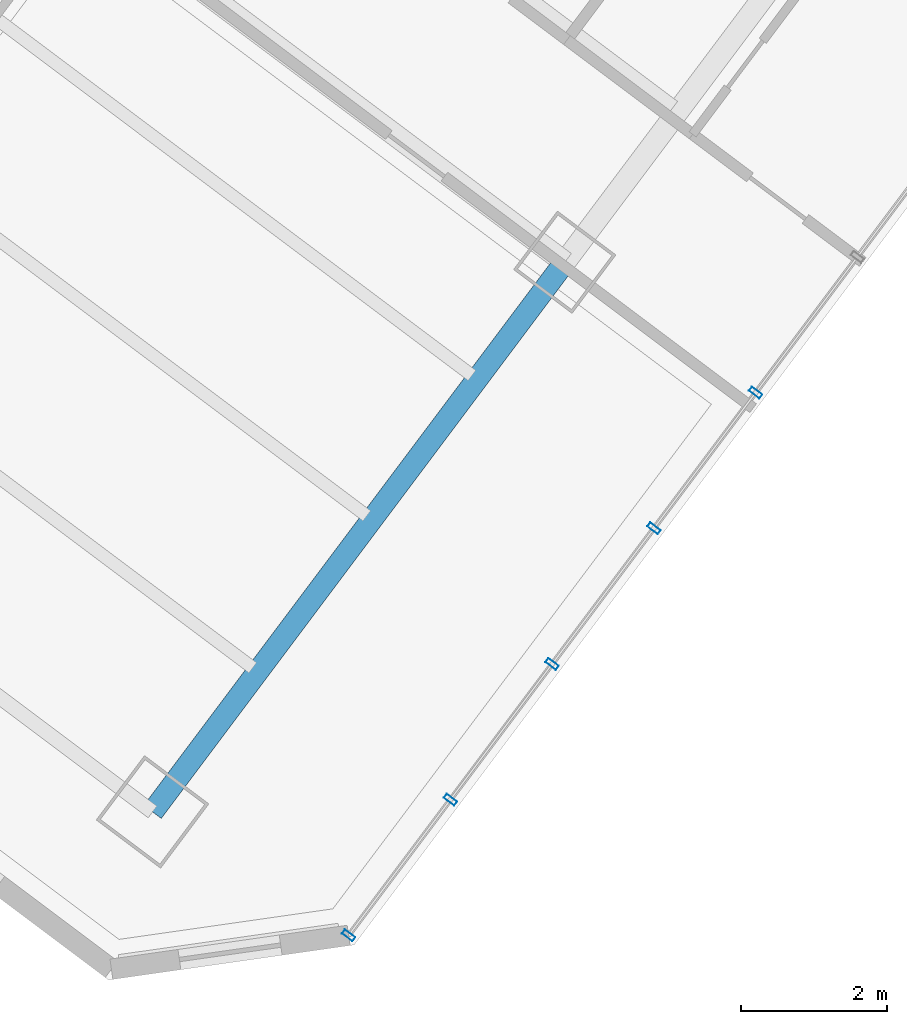
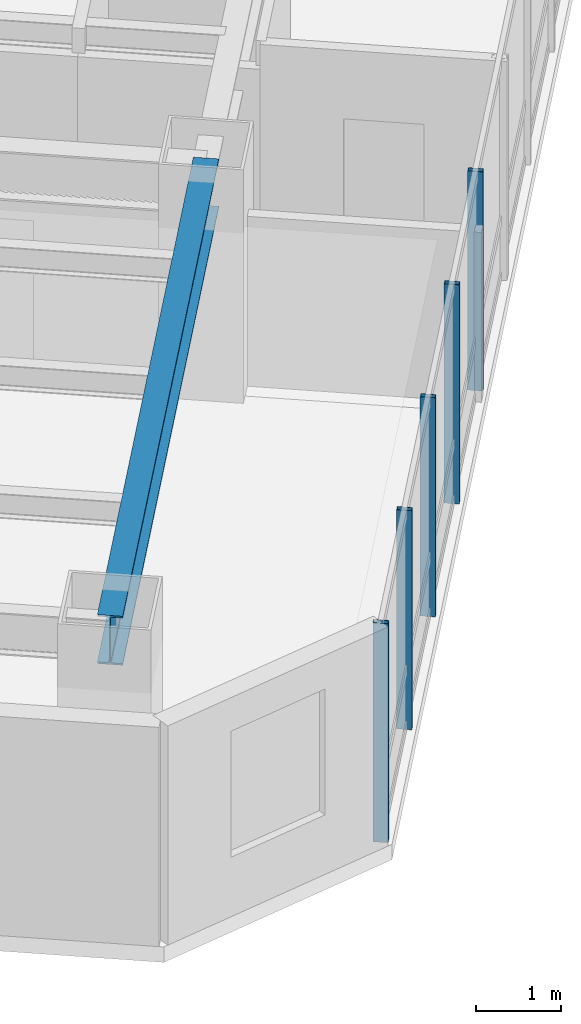
# One storey, part 8 of 33: 5 members, 1 beam, 1 element without a shape of its own.
"""IFC4 building model written with IfcOpenShell, lengths in metres."""

from ifc_helpers import new_model, si_unit, direction, frame, origin, origin_2d, place, context, subcontext, project, spatial, hollow_rectangle, i_section, extrude, material, layer, layer_set, material_profile, profile_set, type_object, element, aggregate, save


model = new_model("IFC4")

# Units and contexts
model_context = context("Model", 3, precision=1e-05, world=origin(), true_north=direction((0.0, 1.0)))
body_context = subcontext(model_context, "Body", "Model", "MODEL_VIEW")
ifc_project = project(units=[si_unit("LENGTHUNIT", "METRE"), si_unit("AREAUNIT", "SQUARE_METRE"), si_unit("VOLUMEUNIT", "CUBIC_METRE"), si_unit("PLANEANGLEUNIT", "RADIAN"), si_unit("MASSUNIT", "GRAM", prefix="KILO")], contexts=[model_context])

# Site, building, storey
site_placement = place(None, origin())
site = spatial("IfcSite", under=ifc_project, at=site_placement, CompositionType="ELEMENT")
building_placement = place(site_placement, origin())
building = spatial("IfcBuilding", under=site, at=building_placement, Name="Hatsunagi Terrace Concourse", CompositionType="ELEMENT")
storey_placement = place(building_placement, frame((0.0, 0.0, 56.699951171875)))
storey = spatial("IfcBuildingStorey", under=building, at=storey_placement, Name="L14", CompositionType="ELEMENT", Elevation=56.699951171875)

# Curtain wall, members
ifc_material_1 = material(Name="Anodised Aluminium Alloy 6063-T5", Category="aluminium")
ifc_layer = layer(ifc_material_1, 0.199951171875)
ifc_layer_set = layer_set([ifc_layer], Name="HotelFacade_CW02")
curtain_wall_type = type_object("IfcCurtainWallType", Name="HotelFacade_CW02", PredefinedType="NOTDEFINED", material=ifc_layer_set)
curtain_wall_placement = place(storey_placement, origin())
curtain_wall = element("IfcCurtainWall", 1, at=curtain_wall_placement, inside=storey, type_object=curtain_wall_type, Name="Unitised Curtain Wall CW-02 CW-L14-03", PredefinedType="NOTDEFINED")
ifc_material_2 = material(Name="Anodised Aluminium Alloy 6063-T5", Category="aluminium")
ifc_material_profile_1 = material_profile(ifc_material_2, hollow_rectangle(XDim=0.070068359375, YDim=0.179931640625, WallThickness=0.00390625, at=origin_2d()), Name="ALU-MUL-180x70x4")
ifc_profile_set_1 = profile_set([ifc_material_profile_1], Name="Anodised Aluminium Alloy 6063-T5")
member_type = type_object("IfcMemberType", Name="CurtainWallMullion_180x70", PredefinedType="MULLION", material=ifc_profile_set_1)
member_1_placement = place(storey_placement, frame((62.132080078125, 10.3759765625, 0.0), z_axis=(0.0, 0.0, 1.0), x_axis=(-0.599969314634, -0.800023013105, 0.0)))
member_1 = element("IfcMember", 2, at=member_1_placement, type_object=member_type, Name="Curtain Wall Mullion MUL-02", PredefinedType="MULLION", context=body_context, shape_type="SweptSolid", body=[
    extrude(hollow_rectangle(XDim=0.070068359375, YDim=0.179931640625, WallThickness=0.00390625, at=origin_2d()), origin(), (0.0, 0.0, 1.0), 3.130126953125),
])
member_2_placement = place(storey_placement, frame((60.739990234375, 8.51904296875, 0.0), z_axis=(0.0, 0.0, 1.0), x_axis=(-0.599969314634, -0.800023013105, 0.0)))
member_2 = element("IfcMember", 3, at=member_2_placement, type_object=member_type, Name="Curtain Wall Mullion MUL-02", PredefinedType="MULLION", context=body_context, shape_type="SweptSolid", body=[
    extrude(hollow_rectangle(XDim=0.070068359375, YDim=0.179931640625, WallThickness=0.00390625, at=origin_2d()), origin(), (0.0, 0.0, 1.0), 3.130126953125),
])
member_3_placement = place(storey_placement, frame((59.346923828125, 6.6630859375, 0.0), z_axis=(0.0, 0.0, 1.0), x_axis=(-0.599969314634, -0.800023013105, 0.0)))
member_3 = element("IfcMember", 4, at=member_3_placement, type_object=member_type, Name="Curtain Wall Mullion MUL-02", PredefinedType="MULLION", context=body_context, shape_type="SweptSolid", body=[
    extrude(hollow_rectangle(XDim=0.070068359375, YDim=0.179931640625, WallThickness=0.00390625, at=origin_2d()), origin(), (0.0, 0.0, 1.0), 3.130126953125),
])
member_4_placement = place(storey_placement, frame((57.955078125, 4.805908203125, 0.0), z_axis=(0.0, 0.0, 1.0), x_axis=(-0.599969314634, -0.800023013105, 0.0)))
member_4 = element("IfcMember", 5, at=member_4_placement, type_object=member_type, Name="Curtain Wall Mullion MUL-02", PredefinedType="MULLION", context=body_context, shape_type="SweptSolid", body=[
    extrude(hollow_rectangle(XDim=0.070068359375, YDim=0.179931640625, WallThickness=0.00390625, at=origin_2d()), origin(), (0.0, 0.0, 1.0), 3.130126953125),
])
member_5_placement = place(storey_placement, frame((56.56298828125, 2.949951171875, 0.0), z_axis=(0.0, 0.0, 1.0), x_axis=(-0.599969314634, -0.800023013105, 0.0)))
member_5 = element("IfcMember", 6, at=member_5_placement, type_object=member_type, Name="Curtain Wall Mullion MUL-02", PredefinedType="MULLION", context=body_context, shape_type="SweptSolid", body=[
    extrude(hollow_rectangle(XDim=0.070068359375, YDim=0.179931640625, WallThickness=0.00390625, at=origin_2d()), origin(), (0.0, 0.0, 1.0), 3.130126953125),
])
aggregate(curtain_wall, [member_1, member_2, member_3, member_4, member_5])

# Beam
ifc_material_3 = material(Name="Steel SN490B", Category="steel")
ifc_material_profile_2 = material_profile(ifc_material_3, i_section(OverallWidth=0.300048828125, OverallDepth=0.699951171875, WebThickness=0.012939453125, FlangeThickness=0.02392578125, FilletRadius=0.02197265625, at=origin_2d()), Name="H-700x300x13x24")
ifc_profile_set_2 = profile_set([ifc_material_profile_2], Name="Steel SN490B")
beam_type = type_object("IfcBeamType", Name="HotelFloorGirder_H_700x300", PredefinedType="BEAM", material=ifc_profile_set_2)
beam_placement = place(storey_placement, frame((53.8798828125, 4.639892578125, 2.780029296875), z_axis=(0.600008311051, 0.799993766644, 0.0), x_axis=(-0.799993766644, 0.600008311051, 0.0)))
element("IfcBeam", 7, at=beam_placement, inside=storey, type_object=beam_type, Name="Beam G-04 BM-L14-SET-3A", PredefinedType="BEAM", context=body_context, shape_type="SweptSolid", body=[
    extrude(i_section(OverallWidth=0.300048828125, OverallDepth=0.699951171875, WebThickness=0.012939453125, FlangeThickness=0.02392578125, FilletRadius=0.02197265625, at=origin_2d()), origin(), (0.0, 0.0, 1.0), 9.400146484375),
])

save(model, "model.ifc")
